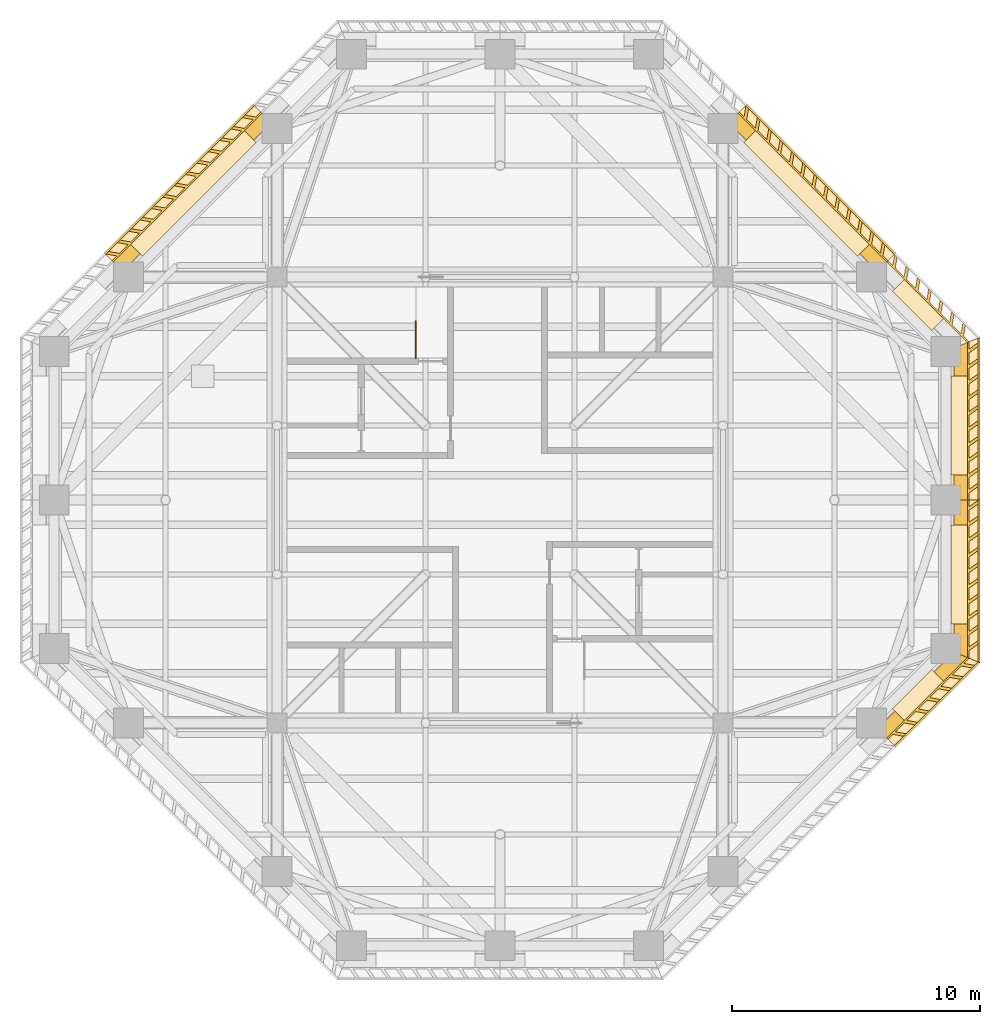
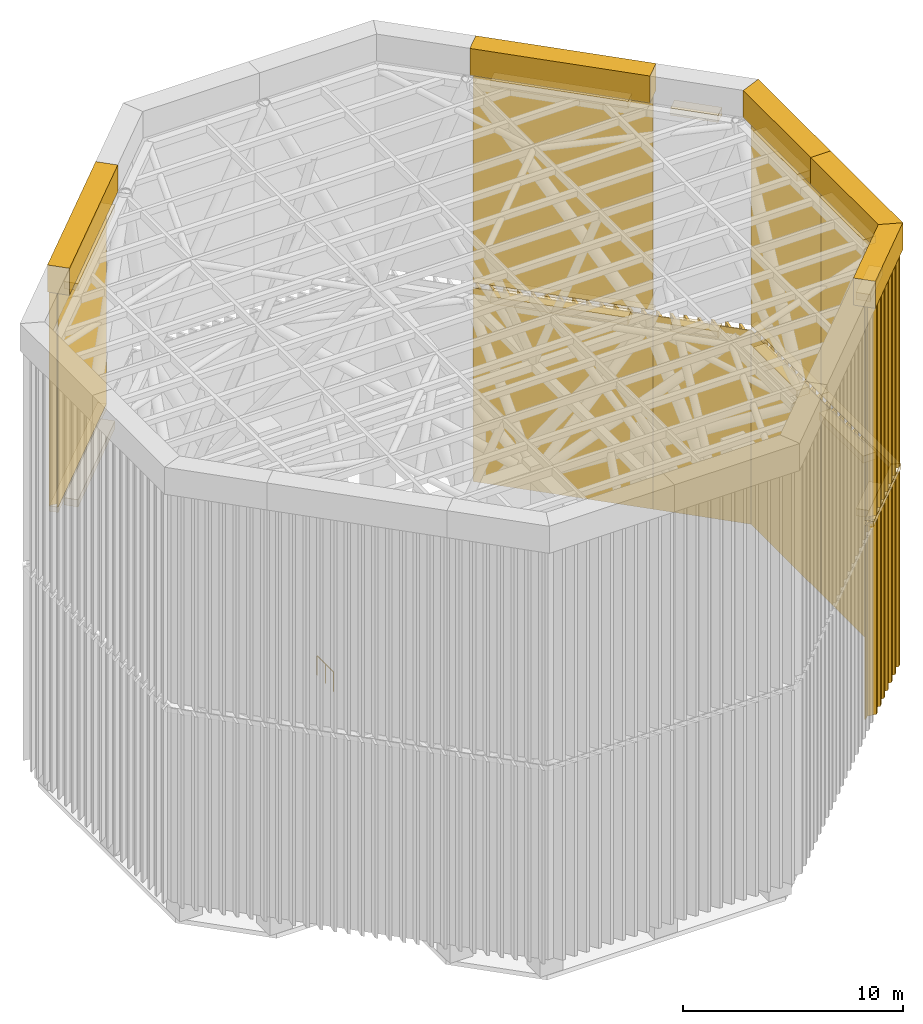
# One storey, part 7 of 8: 32 coverings, 1 railing.
"""IFC4 building model written with IfcOpenShell, lengths in metres."""

from ifc_helpers import new_model, si_unit, direction, frame, origin, origin_2d, place, context, subcontext, project, spatial, polyline, circle, outline, extrude, material, layer, layer_set, constituent, constituent_set, type_object, element, save


model = new_model("IFC4")

# Units and contexts
model_context = context("Model", 3, precision=1e-05, world=origin(), true_north=direction((0.0, 1.0)))
body_context = subcontext(model_context, "Body", "Model", "MODEL_VIEW")
ifc_project = project(units=[si_unit("LENGTHUNIT", "METRE"), si_unit("AREAUNIT", "SQUARE_METRE"), si_unit("VOLUMEUNIT", "CUBIC_METRE"), si_unit("PLANEANGLEUNIT", "RADIAN"), si_unit("MASSUNIT", "GRAM", prefix="KILO")], contexts=[model_context])

# Site, building, storey
site_placement = place(None, origin())
site = spatial("IfcSite", under=ifc_project, at=site_placement, CompositionType="ELEMENT")
building_placement = place(site_placement, origin())
building = spatial("IfcBuilding", under=site, at=building_placement, Name="Torre Cruceta", CompositionType="ELEMENT")
storey_placement = place(building_placement, frame((0.0, 0.0, 293.300048828125)))
storey = spatial("IfcBuildingStorey", under=building, at=storey_placement, Name="RF", CompositionType="ELEMENT", Elevation=293.300048828125)

# Coverings
ifc_material_1 = material(Name="Glass-fibre reinforced concrete", Category="concrete")
ifc_constituent_1 = constituent(ifc_material_1, Name="Panel")
ifc_material_2 = material(Name="Steel S275", Category="steel")
ifc_constituent_2 = constituent(ifc_material_2, Name="Subframe")
ifc_material_3 = material(Name="Hot-dip galvanising", Category="zinc")
ifc_constituent_3 = constituent(ifc_material_3, Name="Subframe coating")
ifc_constituent_set_1 = constituent_set(constituents=[ifc_constituent_1, ifc_constituent_2, ifc_constituent_3], Name="GFRC panel on a galvanised steel subframe")
covering_type_1 = type_object("IfcCoveringType", Name="CROWN CAP FASCIA GFRC 1500", PredefinedType="CLADDING", material=ifc_constituent_set_1)
covering_1_placement = place(storey_placement, frame((0.0, 0.0, 24.0)))
element("IfcCovering", 1, at=covering_1_placement, inside=storey, type_object=covering_type_1, Name="Crown cap fascia FC1 08", PredefinedType="CLADDING", context=body_context, shape_type="SweptSolid", body=[
    extrude(outline(polyline([(15.975830078125, -9.975830078125), (19.3798828125, -6.571533203125), (18.340087890625, -6.140869140625), (15.240478515625, -9.240478515625), (15.975830078125, -9.975830078125)])), origin(), (0.0, 0.0, 1.0), 1.5),
])
covering_2_placement = place(storey_placement, frame((0.0, 0.0, 24.0)))
element("IfcCovering", 2, at=covering_2_placement, inside=storey, type_object=covering_type_1, Name="Crown cap fascia FC1 09", PredefinedType="CLADDING", context=body_context, shape_type="SweptSolid", body=[
    extrude(outline(polyline([(19.3798828125, -6.571533203125), (19.3798828125, 0.0), (18.340087890625, 0.0), (18.340087890625, -6.140869140625), (19.3798828125, -6.571533203125)])), origin(), (0.0, 0.0, 1.0), 1.5),
])
covering_3_placement = place(storey_placement, frame((0.0, 0.0, 24.0)))
element("IfcCovering", 3, at=covering_3_placement, inside=storey, type_object=covering_type_1, Name="Crown cap fascia FC1 10", PredefinedType="CLADDING", context=body_context, shape_type="SweptSolid", body=[
    extrude(outline(polyline([(19.3798828125, 0.0), (19.3798828125, 6.571533203125), (18.340087890625, 6.140869140625), (18.340087890625, 0.0), (19.3798828125, 0.0)])), origin(), (0.0, 0.0, 1.0), 1.5),
])
covering_4_placement = place(storey_placement, frame((0.0, 0.0, 24.0)))
element("IfcCovering", 4, at=covering_4_placement, inside=storey, type_object=covering_type_1, Name="Crown cap fascia FC1 12", PredefinedType="CLADDING", context=body_context, shape_type="SweptSolid", body=[
    extrude(outline(polyline([(15.975830078125, 9.975830078125), (9.975830078125, 15.975830078125), (9.240478515625, 15.240478515625), (15.240478515625, 9.240478515625), (15.975830078125, 9.975830078125)])), origin(), (0.0, 0.0, 1.0), 1.5),
])
covering_5_placement = place(storey_placement, frame((0.0, 0.0, 24.0)))
element("IfcCovering", 5, at=covering_5_placement, inside=storey, type_object=covering_type_1, Name="Crown cap fascia FC1 17", PredefinedType="CLADDING", context=body_context, shape_type="SweptSolid", body=[
    extrude(outline(polyline([(-9.975830078125, 15.975830078125), (-15.975830078125, 9.975830078125), (-15.240478515625, 9.240478515625), (-9.240478515625, 15.240478515625), (-9.975830078125, 15.975830078125)])), origin(), (0.0, 0.0, 1.0), 1.5),
])
ifc_material_4 = material(Name="Glass-fibre reinforced concrete", Category="concrete")
ifc_constituent_4 = constituent(ifc_material_4, Name="Panel")
ifc_material_5 = material(Name="Steel S275", Category="steel")
ifc_constituent_5 = constituent(ifc_material_5, Name="Subframe")
ifc_material_6 = material(Name="Hot-dip galvanising", Category="zinc")
ifc_constituent_6 = constituent(ifc_material_6, Name="Subframe coating")
ifc_constituent_set_2 = constituent_set(constituents=[ifc_constituent_4, ifc_constituent_5, ifc_constituent_6], Name="GFRC panel on a galvanised steel subframe")
covering_type_2 = type_object("IfcCoveringType", Name="CROWN SCREEN JOINT BAND GFRC 300", PredefinedType="CLADDING", material=ifc_constituent_set_2)
covering_6_placement = place(storey_placement, frame((0.0, 0.0, 11.849853515625)))
element("IfcCovering", 6, at=covering_6_placement, inside=storey, type_object=covering_type_2, Name="Crown screen joint band SJ1 08", PredefinedType="CLADDING", context=body_context, shape_type="SweptSolid", body=[
    extrude(outline(polyline([(15.918212890625, -9.918212890625), (19.298583984375, -6.537841796875), (18.8701171875, -6.3603515625), (15.615234375, -9.615234375), (15.918212890625, -9.918212890625)])), origin(), (0.0, 0.0, 1.0), 0.300048828125),
])
covering_7_placement = place(storey_placement, frame((0.0, 0.0, 11.849853515625)))
element("IfcCovering", 7, at=covering_7_placement, inside=storey, type_object=covering_type_2, Name="Crown screen joint band SJ1 09", PredefinedType="CLADDING", context=body_context, shape_type="SweptSolid", body=[
    extrude(outline(polyline([(19.298583984375, -6.537841796875), (19.298583984375, 0.0), (18.8701171875, 0.0), (18.8701171875, -6.3603515625), (19.298583984375, -6.537841796875)])), origin(), (0.0, 0.0, 1.0), 0.300048828125),
])
covering_8_placement = place(storey_placement, frame((0.0, 0.0, 11.849853515625)))
element("IfcCovering", 8, at=covering_8_placement, inside=storey, type_object=covering_type_2, Name="Crown screen joint band SJ1 10", PredefinedType="CLADDING", context=body_context, shape_type="SweptSolid", body=[
    extrude(outline(polyline([(19.298583984375, 0.0), (19.298583984375, 6.537841796875), (18.8701171875, 6.3603515625), (18.8701171875, 0.0), (19.298583984375, 0.0)])), origin(), (0.0, 0.0, 1.0), 0.300048828125),
])
covering_9_placement = place(storey_placement, frame((0.0, 0.0, 11.849853515625)))
element("IfcCovering", 9, at=covering_9_placement, inside=storey, type_object=covering_type_2, Name="Crown screen joint band SJ1 12", PredefinedType="CLADDING", context=body_context, shape_type="SweptSolid", body=[
    extrude(outline(polyline([(15.918212890625, 9.918212890625), (9.918212890625, 15.918212890625), (9.615234375, 15.615234375), (15.615234375, 9.615234375), (15.918212890625, 9.918212890625)])), origin(), (0.0, 0.0, 1.0), 0.300048828125),
])
covering_10_placement = place(storey_placement, frame((0.0, 0.0, 11.849853515625)))
element("IfcCovering", 10, at=covering_10_placement, inside=storey, type_object=covering_type_2, Name="Crown screen joint band SJ1 17", PredefinedType="CLADDING", context=body_context, shape_type="SweptSolid", body=[
    extrude(outline(polyline([(-9.918212890625, 15.918212890625), (-15.918212890625, 9.918212890625), (-15.615234375, 9.615234375), (-9.615234375, 15.615234375), (-9.918212890625, 15.918212890625)])), origin(), (0.0, 0.0, 1.0), 0.300048828125),
])
ifc_material_7 = material(Name="Glass-fibre reinforced concrete", Category="concrete")
ifc_constituent_7 = constituent(ifc_material_7, Name="Panel")
ifc_material_8 = material(Name="Steel S275", Category="steel")
ifc_constituent_8 = constituent(ifc_material_8, Name="Subframe")
ifc_material_9 = material(Name="Hot-dip galvanising", Category="zinc")
ifc_constituent_9 = constituent(ifc_material_9, Name="Subframe coating")
ifc_constituent_set_3 = constituent_set(constituents=[ifc_constituent_7, ifc_constituent_8, ifc_constituent_9], Name="GFRC panel on a galvanised steel subframe")
covering_type_3 = type_object("IfcCoveringType", Name="CROWN SCREEN PANEL GFRC FINS 450 TIER 1", PredefinedType="CLADDING", material=ifc_constituent_set_3)
covering_11_placement = place(storey_placement, frame((0.0, 0.0, 1.099853515625)))
element("IfcCovering", 11, at=covering_11_placement, inside=storey, type_object=covering_type_3, Name="Crown screen panel SC1 08", PredefinedType="CLADDING", context=body_context, shape_type="SweptSolid", body=[
    extrude(outline(polyline([(16.400146484375, -9.4365234375), (15.95751953125, -9.35791015625), (16.313720703125, -9.00146484375), (16.75634765625, -9.080078125), (16.860107421875, -8.9765625), (16.41748046875, -8.89794921875), (16.773681640625, -8.54150390625), (17.21630859375, -8.6201171875), (17.320068359375, -8.5166015625), (16.877197265625, -8.43798828125), (17.233642578125, -8.08154296875), (17.676513671875, -8.16015625), (17.780029296875, -8.056396484375), (17.33740234375, -7.977783203125), (17.693603515625, -7.62158203125), (18.136474609375, -7.7001953125), (18.239990234375, -7.5966796875), (17.79736328125, -7.517822265625), (18.15380859375, -7.16162109375), (18.59619140625, -7.240234375), (18.699951171875, -7.13671875), (18.25732421875, -7.05810546875), (18.613525390625, -6.70166015625), (19.056396484375, -6.7802734375), (19.159912109375, -6.676513671875), (18.71728515625, -6.597900390625), (18.929931640625, -6.38525390625), (18.8701171875, -6.3603515625), (15.615234375, -9.615234375), (15.65771484375, -9.65771484375), (15.853759765625, -9.46142578125), (16.29638671875, -9.5400390625), (16.400146484375, -9.4365234375)])), origin(), (0.0, 0.0, 1.0), 10.75),
])
covering_12_placement = place(storey_placement, frame((0.0, 0.0, 1.099853515625)))
element("IfcCovering", 12, at=covering_12_placement, inside=storey, type_object=covering_type_3, Name="Crown screen panel SC1 09", PredefinedType="CLADDING", context=body_context, shape_type="SweptSolid", body=[
    extrude(outline(polyline([(19.298583984375, -5.678955078125), (18.929931640625, -5.936279296875), (18.929931640625, -5.4541015625), (19.298583984375, -5.196533203125), (19.298583984375, -5.050048828125), (18.929931640625, -5.3076171875), (18.929931640625, -4.8251953125), (19.298583984375, -4.567626953125), (19.298583984375, -4.421142578125), (18.929931640625, -4.6787109375), (18.929931640625, -4.196044921875), (19.298583984375, -3.938720703125), (19.298583984375, -3.792236328125), (18.929931640625, -4.049560546875), (18.929931640625, -3.567138671875), (19.298583984375, -3.309814453125), (19.298583984375, -3.163330078125), (18.929931640625, -3.420654296875), (18.929931640625, -2.938232421875), (19.298583984375, -2.680908203125), (19.298583984375, -2.534423828125), (18.929931640625, -2.791748046875), (18.929931640625, -2.309326171875), (19.298583984375, -2.052001953125), (19.298583984375, -1.905517578125), (18.929931640625, -2.162841796875), (18.929931640625, -1.680419921875), (19.298583984375, -1.423095703125), (19.298583984375, -1.276611328125), (18.929931640625, -1.533935546875), (18.929931640625, -1.051513671875), (19.298583984375, -0.794189453125), (19.298583984375, -0.647705078125), (18.929931640625, -0.905029296875), (18.929931640625, -0.422607421875), (19.298583984375, -0.1650390625), (19.298583984375, -0.0185546875), (18.929931640625, -0.276123046875), (18.929931640625, 0.0), (18.8701171875, 0.0), (18.8701171875, -6.3603515625), (18.929931640625, -6.38525390625), (18.929931640625, -6.0830078125), (19.298583984375, -5.825439453125), (19.298583984375, -5.678955078125)])), origin(), (0.0, 0.0, 1.0), 10.75),
])
covering_13_placement = place(storey_placement, frame((0.0, 0.0, 1.099853515625)))
element("IfcCovering", 13, at=covering_13_placement, inside=storey, type_object=covering_type_3, Name="Crown screen panel SC1 10", PredefinedType="CLADDING", context=body_context, shape_type="SweptSolid", body=[
    extrude(outline(polyline([(19.298583984375, 0.681396484375), (18.929931640625, 0.423828125), (18.929931640625, 0.906494140625), (19.298583984375, 1.163818359375), (19.298583984375, 1.310302734375), (18.929931640625, 1.052978515625), (18.929931640625, 1.535400390625), (19.298583984375, 1.792724609375), (19.298583984375, 1.939208984375), (18.929931640625, 1.681884765625), (18.929931640625, 2.164306640625), (19.298583984375, 2.421630859375), (19.298583984375, 2.568115234375), (18.929931640625, 2.310791015625), (18.929931640625, 2.793212890625), (19.298583984375, 3.050537109375), (19.298583984375, 3.197021484375), (18.929931640625, 2.939697265625), (18.929931640625, 3.422119140625), (19.298583984375, 3.679443359375), (19.298583984375, 3.825927734375), (18.929931640625, 3.568603515625), (18.929931640625, 4.051025390625), (19.298583984375, 4.308349609375), (19.298583984375, 4.454833984375), (18.929931640625, 4.197509765625), (18.929931640625, 4.679931640625), (19.298583984375, 4.9375), (19.298583984375, 5.083984375), (18.929931640625, 4.826416015625), (18.929931640625, 5.308837890625), (19.298583984375, 5.56640625), (19.298583984375, 5.712890625), (18.929931640625, 5.455322265625), (18.929931640625, 5.937744140625), (19.298583984375, 6.1953125), (19.298583984375, 6.341796875), (18.929931640625, 6.084228515625), (18.929931640625, 6.38525390625), (18.8701171875, 6.3603515625), (18.8701171875, 0.0), (18.929931640625, 0.0), (18.929931640625, 0.277587890625), (19.298583984375, 0.534912109375), (19.298583984375, 0.681396484375)])), origin(), (0.0, 0.0, 1.0), 10.75),
])
covering_14_placement = place(storey_placement, frame((0.0, 0.0, 1.099853515625)))
element("IfcCovering", 14, at=covering_14_placement, inside=storey, type_object=covering_type_3, Name="Crown screen panel SC1 11", PredefinedType="CLADDING", context=body_context, shape_type="SweptSolid", body=[
    extrude(outline(polyline([(18.69140625, 7.145263671875), (18.61279296875, 6.70263671875), (18.25634765625, 7.05908203125), (18.3349609375, 7.501708984375), (18.231201171875, 7.605224609375), (18.152587890625, 7.16259765625), (17.79638671875, 7.518798828125), (17.875, 7.961669921875), (17.771240234375, 8.065185546875), (17.692626953125, 7.62255859375), (17.336181640625, 7.97900390625), (17.4150390625, 8.421630859375), (17.311279296875, 8.525146484375), (17.232666015625, 8.08251953125), (16.876220703125, 8.43896484375), (16.955078125, 8.881591796875), (16.851318359375, 8.985107421875), (16.772705078125, 8.54248046875), (16.41650390625, 8.898681640625), (16.4951171875, 9.341552734375), (16.391357421875, 9.445068359375), (16.312744140625, 9.00244140625), (15.956298828125, 9.35888671875), (16.034912109375, 9.801513671875), (15.931396484375, 9.905029296875), (15.852783203125, 9.46240234375), (15.65771484375, 9.65771484375), (15.615234375, 9.615234375), (18.8701171875, 6.3603515625), (18.929931640625, 6.38525390625), (18.71630859375, 6.59912109375), (18.794921875, 7.04150390625), (18.69140625, 7.145263671875)])), origin(), (0.0, 0.0, 1.0), 10.75),
])
covering_15_placement = place(storey_placement, frame((0.0, 0.0, 1.099853515625)))
element("IfcCovering", 15, at=covering_15_placement, inside=storey, type_object=covering_type_3, Name="Crown screen panel SC1 12", PredefinedType="CLADDING", context=body_context, shape_type="SweptSolid", body=[
    extrude(outline(polyline([(9.65771484375, 15.65771484375), (9.615234375, 15.615234375), (15.615234375, 9.615234375), (15.65771484375, 9.65771484375), (15.46142578125, 9.853759765625), (15.5400390625, 10.29638671875), (15.4365234375, 10.400146484375), (15.35791015625, 9.95751953125), (15.002685546875, 10.3125), (15.081298828125, 10.755126953125), (14.977783203125, 10.85888671875), (14.899169921875, 10.416015625), (14.5439453125, 10.771240234375), (14.62255859375, 11.214111328125), (14.51904296875, 11.317626953125), (14.440185546875, 10.875), (14.085205078125, 11.22998046875), (14.163818359375, 11.672607421875), (14.060302734375, 11.7763671875), (13.981689453125, 11.33349609375), (13.62646484375, 11.688720703125), (13.705078125, 12.131591796875), (13.6015625, 12.235107421875), (13.522705078125, 11.79248046875), (13.167724609375, 12.147705078125), (13.246337890625, 12.590087890625), (13.142578125, 12.69384765625), (13.064208984375, 12.251220703125), (12.708984375, 12.606201171875), (12.78759765625, 13.049072265625), (12.68408203125, 13.152587890625), (12.605224609375, 12.7099609375), (12.250244140625, 13.065185546875), (12.328857421875, 13.5078125), (12.22509765625, 13.611328125), (12.146484375, 13.168701171875), (11.79150390625, 13.523681640625), (11.8701171875, 13.966552734375), (11.7666015625, 14.070068359375), (11.687744140625, 13.62744140625), (11.332763671875, 13.982666015625), (11.411376953125, 14.42529296875), (11.3076171875, 14.52880859375), (11.22900390625, 14.086181640625), (10.873779296875, 14.44140625), (10.952392578125, 14.884033203125), (10.848876953125, 14.987548828125), (10.770263671875, 14.544921875), (10.4150390625, 14.900146484375), (10.493896484375, 15.3427734375), (10.39013671875, 15.4462890625), (10.3115234375, 15.003662109375), (9.956298828125, 15.35888671875), (10.034912109375, 15.801513671875), (9.931396484375, 15.905029296875), (9.852783203125, 15.46240234375), (9.65771484375, 15.65771484375)])), origin(), (0.0, 0.0, 1.0), 10.75),
])
ifc_material_10 = material(Name="Glass-fibre reinforced concrete", Category="concrete")
ifc_constituent_10 = constituent(ifc_material_10, Name="Panel")
ifc_material_11 = material(Name="Steel S275", Category="steel")
ifc_constituent_11 = constituent(ifc_material_11, Name="Subframe")
ifc_material_12 = material(Name="Hot-dip galvanising", Category="zinc")
ifc_constituent_12 = constituent(ifc_material_12, Name="Subframe coating")
ifc_constituent_set_4 = constituent_set(constituents=[ifc_constituent_10, ifc_constituent_11, ifc_constituent_12], Name="GFRC panel on a galvanised steel subframe")
covering_type_4 = type_object("IfcCoveringType", Name="CROWN SCREEN PANEL GFRC FINS 450 TIER 2", PredefinedType="CLADDING", material=ifc_constituent_set_4)
covering_16_placement = place(storey_placement, frame((0.0, 0.0, 12.14990234375)))
element("IfcCovering", 16, at=covering_16_placement, inside=storey, type_object=covering_type_4, Name="Crown screen panel SC2 08", PredefinedType="CLADDING", context=body_context, shape_type="SweptSolid", body=[
    extrude(outline(polyline([(16.400146484375, -9.4365234375), (15.95751953125, -9.35791015625), (16.313720703125, -9.00146484375), (16.75634765625, -9.080078125), (16.860107421875, -8.9765625), (16.41748046875, -8.89794921875), (16.773681640625, -8.54150390625), (17.21630859375, -8.6201171875), (17.320068359375, -8.5166015625), (16.877197265625, -8.43798828125), (17.233642578125, -8.08154296875), (17.676513671875, -8.16015625), (17.780029296875, -8.056396484375), (17.33740234375, -7.977783203125), (17.693603515625, -7.62158203125), (18.136474609375, -7.7001953125), (18.239990234375, -7.5966796875), (17.79736328125, -7.517822265625), (18.15380859375, -7.16162109375), (18.59619140625, -7.240234375), (18.699951171875, -7.13671875), (18.25732421875, -7.05810546875), (18.613525390625, -6.70166015625), (19.056396484375, -6.7802734375), (19.159912109375, -6.676513671875), (18.71728515625, -6.597900390625), (18.929931640625, -6.38525390625), (18.8701171875, -6.3603515625), (15.615234375, -9.615234375), (15.65771484375, -9.65771484375), (15.853759765625, -9.46142578125), (16.29638671875, -9.5400390625), (16.400146484375, -9.4365234375)])), origin(), (0.0, 0.0, 1.0), 11.85009765625),
])
covering_17_placement = place(storey_placement, frame((0.0, 0.0, 12.14990234375)))
element("IfcCovering", 17, at=covering_17_placement, inside=storey, type_object=covering_type_4, Name="Crown screen panel SC2 09", PredefinedType="CLADDING", context=body_context, shape_type="SweptSolid", body=[
    extrude(outline(polyline([(19.298583984375, -5.678955078125), (18.929931640625, -5.936279296875), (18.929931640625, -5.4541015625), (19.298583984375, -5.196533203125), (19.298583984375, -5.050048828125), (18.929931640625, -5.3076171875), (18.929931640625, -4.8251953125), (19.298583984375, -4.567626953125), (19.298583984375, -4.421142578125), (18.929931640625, -4.6787109375), (18.929931640625, -4.196044921875), (19.298583984375, -3.938720703125), (19.298583984375, -3.792236328125), (18.929931640625, -4.049560546875), (18.929931640625, -3.567138671875), (19.298583984375, -3.309814453125), (19.298583984375, -3.163330078125), (18.929931640625, -3.420654296875), (18.929931640625, -2.938232421875), (19.298583984375, -2.680908203125), (19.298583984375, -2.534423828125), (18.929931640625, -2.791748046875), (18.929931640625, -2.309326171875), (19.298583984375, -2.052001953125), (19.298583984375, -1.905517578125), (18.929931640625, -2.162841796875), (18.929931640625, -1.680419921875), (19.298583984375, -1.423095703125), (19.298583984375, -1.276611328125), (18.929931640625, -1.533935546875), (18.929931640625, -1.051513671875), (19.298583984375, -0.794189453125), (19.298583984375, -0.647705078125), (18.929931640625, -0.905029296875), (18.929931640625, -0.422607421875), (19.298583984375, -0.1650390625), (19.298583984375, -0.0185546875), (18.929931640625, -0.276123046875), (18.929931640625, 0.0), (18.8701171875, 0.0), (18.8701171875, -6.3603515625), (18.929931640625, -6.38525390625), (18.929931640625, -6.0830078125), (19.298583984375, -5.825439453125), (19.298583984375, -5.678955078125)])), origin(), (0.0, 0.0, 1.0), 11.85009765625),
])
covering_18_placement = place(storey_placement, frame((0.0, 0.0, 12.14990234375)))
element("IfcCovering", 18, at=covering_18_placement, inside=storey, type_object=covering_type_4, Name="Crown screen panel SC2 10", PredefinedType="CLADDING", context=body_context, shape_type="SweptSolid", body=[
    extrude(outline(polyline([(19.298583984375, 0.681396484375), (18.929931640625, 0.423828125), (18.929931640625, 0.906494140625), (19.298583984375, 1.163818359375), (19.298583984375, 1.310302734375), (18.929931640625, 1.052978515625), (18.929931640625, 1.535400390625), (19.298583984375, 1.792724609375), (19.298583984375, 1.939208984375), (18.929931640625, 1.681884765625), (18.929931640625, 2.164306640625), (19.298583984375, 2.421630859375), (19.298583984375, 2.568115234375), (18.929931640625, 2.310791015625), (18.929931640625, 2.793212890625), (19.298583984375, 3.050537109375), (19.298583984375, 3.197021484375), (18.929931640625, 2.939697265625), (18.929931640625, 3.422119140625), (19.298583984375, 3.679443359375), (19.298583984375, 3.825927734375), (18.929931640625, 3.568603515625), (18.929931640625, 4.051025390625), (19.298583984375, 4.308349609375), (19.298583984375, 4.454833984375), (18.929931640625, 4.197509765625), (18.929931640625, 4.679931640625), (19.298583984375, 4.9375), (19.298583984375, 5.083984375), (18.929931640625, 4.826416015625), (18.929931640625, 5.308837890625), (19.298583984375, 5.56640625), (19.298583984375, 5.712890625), (18.929931640625, 5.455322265625), (18.929931640625, 5.937744140625), (19.298583984375, 6.1953125), (19.298583984375, 6.341796875), (18.929931640625, 6.084228515625), (18.929931640625, 6.38525390625), (18.8701171875, 6.3603515625), (18.8701171875, 0.0), (18.929931640625, 0.0), (18.929931640625, 0.277587890625), (19.298583984375, 0.534912109375), (19.298583984375, 0.681396484375)])), origin(), (0.0, 0.0, 1.0), 11.85009765625),
])
covering_19_placement = place(storey_placement, frame((0.0, 0.0, 12.14990234375)))
element("IfcCovering", 19, at=covering_19_placement, inside=storey, type_object=covering_type_4, Name="Crown screen panel SC2 12", PredefinedType="CLADDING", context=body_context, shape_type="SweptSolid", body=[
    extrude(outline(polyline([(9.65771484375, 15.65771484375), (9.615234375, 15.615234375), (15.615234375, 9.615234375), (15.65771484375, 9.65771484375), (15.46142578125, 9.853759765625), (15.5400390625, 10.29638671875), (15.4365234375, 10.400146484375), (15.35791015625, 9.95751953125), (15.002685546875, 10.3125), (15.081298828125, 10.755126953125), (14.977783203125, 10.85888671875), (14.899169921875, 10.416015625), (14.5439453125, 10.771240234375), (14.62255859375, 11.214111328125), (14.51904296875, 11.317626953125), (14.440185546875, 10.875), (14.085205078125, 11.22998046875), (14.163818359375, 11.672607421875), (14.060302734375, 11.7763671875), (13.981689453125, 11.33349609375), (13.62646484375, 11.688720703125), (13.705078125, 12.131591796875), (13.6015625, 12.235107421875), (13.522705078125, 11.79248046875), (13.167724609375, 12.147705078125), (13.246337890625, 12.590087890625), (13.142578125, 12.69384765625), (13.064208984375, 12.251220703125), (12.708984375, 12.606201171875), (12.78759765625, 13.049072265625), (12.68408203125, 13.152587890625), (12.605224609375, 12.7099609375), (12.250244140625, 13.065185546875), (12.328857421875, 13.5078125), (12.22509765625, 13.611328125), (12.146484375, 13.168701171875), (11.79150390625, 13.523681640625), (11.8701171875, 13.966552734375), (11.7666015625, 14.070068359375), (11.687744140625, 13.62744140625), (11.332763671875, 13.982666015625), (11.411376953125, 14.42529296875), (11.3076171875, 14.52880859375), (11.22900390625, 14.086181640625), (10.873779296875, 14.44140625), (10.952392578125, 14.884033203125), (10.848876953125, 14.987548828125), (10.770263671875, 14.544921875), (10.4150390625, 14.900146484375), (10.493896484375, 15.3427734375), (10.39013671875, 15.4462890625), (10.3115234375, 15.003662109375), (9.956298828125, 15.35888671875), (10.034912109375, 15.801513671875), (9.931396484375, 15.905029296875), (9.852783203125, 15.46240234375), (9.65771484375, 15.65771484375)])), origin(), (0.0, 0.0, 1.0), 11.85009765625),
])
covering_20_placement = place(storey_placement, frame((0.0, 0.0, 12.14990234375)))
element("IfcCovering", 20, at=covering_20_placement, inside=storey, type_object=covering_type_4, Name="Crown screen panel SC2 17", PredefinedType="CLADDING", context=body_context, shape_type="SweptSolid", body=[
    extrude(outline(polyline([(-15.905029296875, 9.931396484375), (-15.46240234375, 9.852783203125), (-15.65771484375, 9.65771484375), (-15.615234375, 9.615234375), (-9.615234375, 15.615234375), (-9.65771484375, 15.65771484375), (-9.853759765625, 15.46142578125), (-10.29638671875, 15.5400390625), (-10.400146484375, 15.4365234375), (-9.95751953125, 15.35791015625), (-10.3125, 15.002685546875), (-10.755126953125, 15.081298828125), (-10.85888671875, 14.977783203125), (-10.416015625, 14.899169921875), (-10.771240234375, 14.5439453125), (-11.214111328125, 14.62255859375), (-11.317626953125, 14.51904296875), (-10.875, 14.440185546875), (-11.22998046875, 14.085205078125), (-11.672607421875, 14.163818359375), (-11.7763671875, 14.060302734375), (-11.33349609375, 13.981689453125), (-11.688720703125, 13.62646484375), (-12.131591796875, 13.705078125), (-12.235107421875, 13.6015625), (-11.79248046875, 13.522705078125), (-12.147705078125, 13.167724609375), (-12.590087890625, 13.246337890625), (-12.69384765625, 13.142578125), (-12.251220703125, 13.064208984375), (-12.606201171875, 12.708984375), (-13.049072265625, 12.78759765625), (-13.152587890625, 12.68408203125), (-12.7099609375, 12.605224609375), (-13.065185546875, 12.250244140625), (-13.5078125, 12.328857421875), (-13.611328125, 12.22509765625), (-13.168701171875, 12.146484375), (-13.523681640625, 11.79150390625), (-13.966552734375, 11.8701171875), (-14.070068359375, 11.7666015625), (-13.62744140625, 11.687744140625), (-13.982666015625, 11.332763671875), (-14.42529296875, 11.411376953125), (-14.52880859375, 11.3076171875), (-14.086181640625, 11.22900390625), (-14.44140625, 10.873779296875), (-14.884033203125, 10.952392578125), (-14.987548828125, 10.848876953125), (-14.544921875, 10.770263671875), (-14.900146484375, 10.4150390625), (-15.3427734375, 10.493896484375), (-15.4462890625, 10.39013671875), (-15.003662109375, 10.3115234375), (-15.35888671875, 9.956298828125), (-15.801513671875, 10.034912109375), (-15.905029296875, 9.931396484375)])), origin(), (0.0, 0.0, 1.0), 11.85009765625),
])
ifc_material_13 = material(Name="Steel S275", Category="steel")
ifc_layer = layer(ifc_material_13, 0.669921875)
ifc_layer_set = layer_set([ifc_layer], Name="Steel S275")
covering_type_5 = type_object("IfcCoveringType", Name="CROWN SCREEN SUPPORT RAIL GALVANISED STEEL", PredefinedType="CLADDING", material=ifc_layer_set)
for number, where, name in (
    (21, (0.0, 0.0, 11.599853515625), "Crown screen support rail SR1 1-08"),
    (22, (0.0, 0.0, 23.599853515625), "Crown screen support rail SR1 2-08"),
):
    element("IfcCovering", number, at=place(storey_placement, frame(where)), inside=storey, type_object=covering_type_5, Name=name, PredefinedType="CLADDING", context=body_context, shape_type="SweptSolid", body=[
        extrude(outline(polyline([(16.322265625, -8.908203125), (17.908203125, -7.322265625), (17.434814453125, -6.848876953125), (15.848876953125, -8.434814453125), (16.322265625, -8.908203125)])), origin(), (0.0, 0.0, 1.0), 0.400146484375),
    ])
for number, where, name in (
    (23, (0.0, 0.0, 11.599853515625), "Crown screen support rail SR1 1-09"),
    (24, (0.0, 0.0, 23.599853515625), "Crown screen support rail SR1 2-09"),
):
    element("IfcCovering", number, at=place(storey_placement, frame(where)), inside=storey, type_object=covering_type_5, Name=name, PredefinedType="CLADDING", context=body_context, shape_type="SweptSolid", body=[
        extrude(outline(polyline([(18.8701171875, -5.0), (18.8701171875, -1.0), (18.200439453125, -1.0), (18.200439453125, -5.0), (18.8701171875, -5.0)])), origin(), (0.0, 0.0, 1.0), 0.400146484375),
    ])
for number, where, name in (
    (25, (0.0, 0.0, 11.599853515625), "Crown screen support rail SR1 1-10"),
    (26, (0.0, 0.0, 23.599853515625), "Crown screen support rail SR1 2-10"),
):
    element("IfcCovering", number, at=place(storey_placement, frame(where)), inside=storey, type_object=covering_type_5, Name=name, PredefinedType="CLADDING", context=body_context, shape_type="SweptSolid", body=[
        extrude(outline(polyline([(18.8701171875, 1.0), (18.8701171875, 5.0), (18.200439453125, 5.0), (18.200439453125, 1.0), (18.8701171875, 1.0)])), origin(), (0.0, 0.0, 1.0), 0.400146484375),
    ])
for number, where, name in (
    (27, (0.0, 0.0, 11.599853515625), "Crown screen support rail SR1 1-11"),
    (28, (0.0, 0.0, 23.599853515625), "Crown screen support rail SR1 2-11"),
):
    element("IfcCovering", number, at=place(storey_placement, frame(where)), inside=storey, type_object=covering_type_5, Name=name, PredefinedType="CLADDING", context=body_context, shape_type="SweptSolid", body=[
        extrude(outline(polyline([(17.908203125, 7.322265625), (16.322265625, 8.908203125), (15.848876953125, 8.434814453125), (17.434814453125, 6.848876953125), (17.908203125, 7.322265625)])), origin(), (0.0, 0.0, 1.0), 0.400146484375),
    ])
for number, where, name in (
    (29, (0.0, 0.0, 11.599853515625), "Crown screen support rail SR1 1-12"),
    (30, (0.0, 0.0, 23.599853515625), "Crown screen support rail SR1 2-12"),
):
    element("IfcCovering", number, at=place(storey_placement, frame(where)), inside=storey, type_object=covering_type_5, Name=name, PredefinedType="CLADDING", context=body_context, shape_type="SweptSolid", body=[
        extrude(outline(polyline([(14.908203125, 10.322265625), (10.322265625, 14.908203125), (9.848876953125, 14.434814453125), (14.434814453125, 9.848876953125), (14.908203125, 10.322265625)])), origin(), (0.0, 0.0, 1.0), 0.400146484375),
    ])
for number, where, name in (
    (31, (0.0, 0.0, 11.599853515625), "Crown screen support rail SR1 1-17"),
    (32, (0.0, 0.0, 23.599853515625), "Crown screen support rail SR1 2-17"),
):
    element("IfcCovering", number, at=place(storey_placement, frame(where)), inside=storey, type_object=covering_type_5, Name=name, PredefinedType="CLADDING", context=body_context, shape_type="SweptSolid", body=[
        extrude(outline(polyline([(-10.322265625, 14.908203125), (-14.908203125, 10.322265625), (-14.434814453125, 9.848876953125), (-9.848876953125, 14.434814453125), (-10.322265625, 14.908203125)])), origin(), (0.0, 0.0, 1.0), 0.400146484375),
    ])

# Railing
ifc_material_14 = material(Name="Steel S275", Category="steel")
railing_type = type_object("IfcRailingType", Name="STAIR GUARD 1100", PredefinedType="GUARDRAIL", material=ifc_material_14)
railing_placement = place(storey_placement, frame((-3.39990234375, 5.72509765625, 0.0)))
element("IfcRailing", 33, at=railing_placement, inside=storey, type_object=railing_type, Name="Stair guard GR2 ST1 roof", PredefinedType="GUARDRAIL", context=body_context, shape_type="SweptSolid", body=[
    extrude(circle(Radius=0.02392578125, at=origin_2d()), frame((0.0, 0.0, 1.076171875), z_axis=(0.0, 1.0, 0.0), x_axis=(-1.0, 0.0, 0.0)), (0.0, 0.0, 1.0), 1.5),
    extrude(circle(Radius=0.02099609375, at=origin_2d()), origin(), (0.0, 0.0, 1.0), 1.052001953125),
    extrude(circle(Radius=0.02099609375, at=origin_2d()), frame((0.0, 0.75, 0.0)), (0.0, 0.0, 1.0), 1.052001953125),
    extrude(circle(Radius=0.02099609375, at=origin_2d()), frame((0.0, 1.5, 0.0)), (0.0, 0.0, 1.0), 1.052001953125),
])

save(model, "model.ifc")
